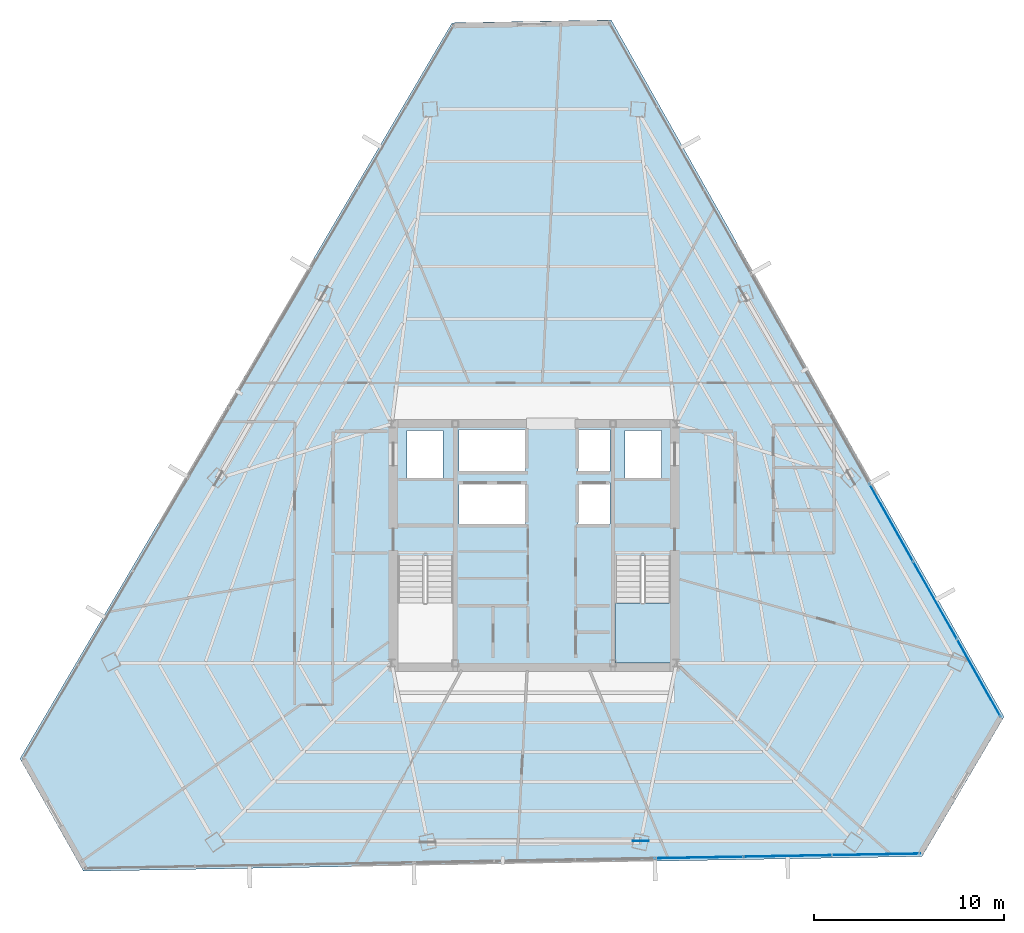
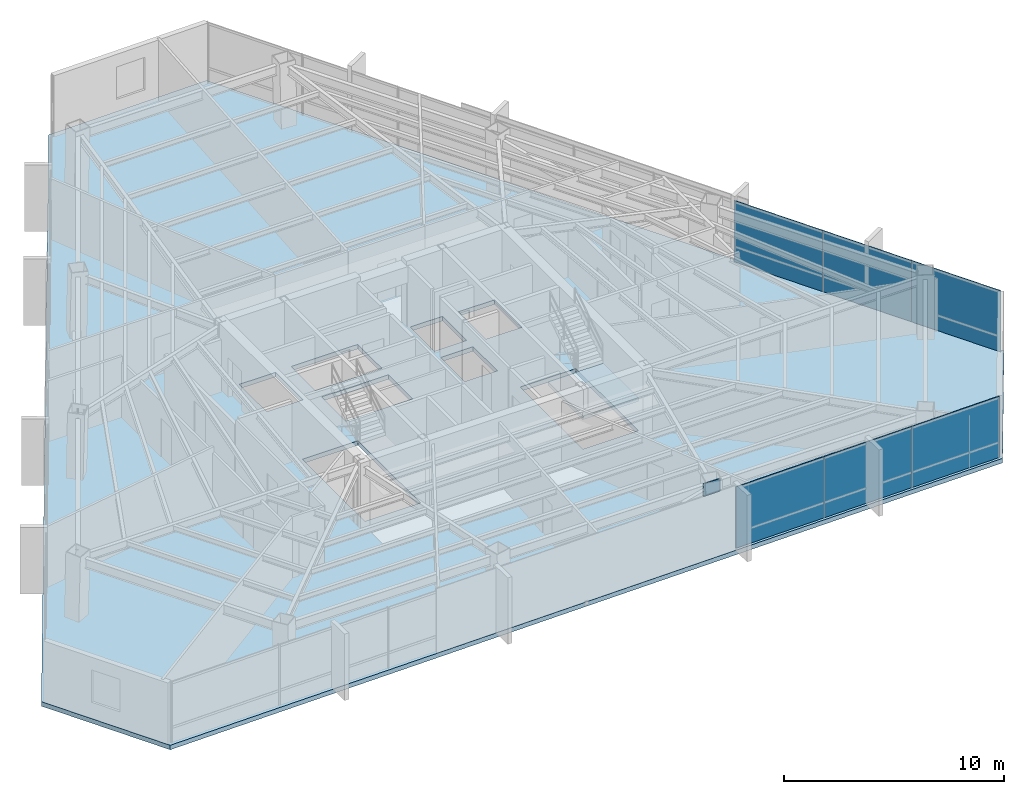
# One storey, part 34 of 42: 7 plates, 2 slabs, 3 elements without a shape of their own.
"""IFC4 building model written with IfcOpenShell, lengths in metres."""

from ifc_helpers import new_model, si_unit, direction, frame, origin, origin_2d, place, context, subcontext, project, spatial, polyline, rectangle, outline, extrude, source, transform, mapped, material, layer, layer_set, type_object, type_shapes, element, aggregate, save


model = new_model("IFC4")

# Units and contexts
model_context = context("Model", 3, precision=1e-05, world=origin(), true_north=direction((0.0, 1.0)))
body_context = subcontext(model_context, "Body", "Model", "MODEL_VIEW")
ifc_project = project(units=[si_unit("LENGTHUNIT", "METRE"), si_unit("AREAUNIT", "SQUARE_METRE"), si_unit("VOLUMEUNIT", "CUBIC_METRE"), si_unit("PLANEANGLEUNIT", "RADIAN"), si_unit("MASSUNIT", "GRAM", prefix="KILO")], contexts=[model_context])

# Site, building, storey
site_placement = place(None, origin())
site = spatial("IfcSite", under=ifc_project, at=site_placement, CompositionType="ELEMENT")
building_placement = place(site_placement, origin())
building = spatial("IfcBuilding", under=site, at=building_placement, Name="Caelisora Broadcast Tower", CompositionType="ELEMENT")
storey_placement = place(building_placement, frame((0.0, 0.0, 187.699951171875)))
storey = spatial("IfcBuildingStorey", under=building, at=storey_placement, Name="L49", CompositionType="ELEMENT", Elevation=187.699951171875)

# Slab
ifc_material_1 = material(Name="Concrete 40 MPa (AS 3600 N40)", Category="concrete")
ifc_layer_1 = layer(ifc_material_1, 0.25, Name="Concrete 40 MPa (AS 3600 N40)")
ifc_layer_set_1 = layer_set([ifc_layer_1], Name="Concrete 40 MPa (AS 3600 N40)")
slab_type_1 = type_object("IfcSlabType", Name="SL04", PredefinedType="FLOOR", material=ifc_layer_set_1)
slab_1_placement = place(storey_placement, frame((0.0, 0.0, -0.25)))
element("IfcSlab", 1, at=slab_1_placement, inside=storey, type_object=slab_type_1, Name="L49 suspended floor SL04", PredefinedType="FLOOR", context=body_context, shape_type="SweptSolid", body=[
    extrude(outline(polyline([(42.06103515625, 51.258056640625), (33.68408203125, 51.111083984375), (10.93896484375, 12.3740234375), (14.280029296875, 6.447998046875), (58.422119140625, 7.22509765625), (62.738037109375, 14.575927734375), (42.06103515625, 51.258056640625)]), holes=[polyline([(30.820068359375, 17.39990234375), (33.739990234375, 17.39990234375), (33.739990234375, 23.080078125), (30.820068359375, 23.080078125), (30.820068359375, 17.39990234375)]), polyline([(42.260009765625, 17.39990234375), (45.179931640625, 17.39990234375), (45.179931640625, 23.080078125), (42.260009765625, 23.080078125), (42.260009765625, 17.39990234375)]), polyline([(42.800048828125, 27.14990234375), (44.699951171875, 27.14990234375), (44.699951171875, 29.64990234375), (42.800048828125, 29.64990234375), (42.800048828125, 27.14990234375)]), polyline([(40.300048828125, 24.719970703125), (42.0, 24.719970703125), (42.0, 26.919921875), (40.300048828125, 26.919921875), (40.300048828125, 24.719970703125)]), polyline([(40.300048828125, 27.5), (42.0, 27.5), (42.0, 29.699951171875), (40.300048828125, 29.699951171875), (40.300048828125, 27.5)]), polyline([(34.050048828125, 24.719970703125), (37.550048828125, 24.719970703125), (37.550048828125, 26.919921875), (34.050048828125, 26.919921875), (34.050048828125, 24.719970703125)]), polyline([(34.050048828125, 27.5), (37.550048828125, 27.5), (37.550048828125, 29.699951171875), (34.050048828125, 29.699951171875), (34.050048828125, 27.5)]), polyline([(31.300048828125, 27.14990234375), (33.199951171875, 27.14990234375), (33.199951171875, 29.64990234375), (31.300048828125, 29.64990234375), (31.300048828125, 27.14990234375)])]), origin(), (0.0, 0.0, 1.0), 0.25),
])

# Stair, slab
stair_type = type_object("IfcStairType", Name="ST-2", PredefinedType="HALF_TURN_STAIR", material=ifc_material_1)
stair_placement = place(storey_placement, origin())
stair = element("IfcStair", 2, at=stair_placement, inside=storey, type_object=stair_type, Name="L49 East Fire-Isolated Tower Stair", PredefinedType="HALF_TURN_STAIR")
ifc_layer_2 = layer(ifc_material_1, 0.199951171875, Name="Concrete 40 MPa (AS 3600 N40)")
ifc_layer_set_2 = layer_set([ifc_layer_2], Name="Concrete 40 MPa (AS 3600 N40)")
slab_type_2 = type_object("IfcSlabType", Name="STL-1", PredefinedType="LANDING", material=ifc_layer_set_2)
slab_2_placement = place(storey_placement, frame((0.0, 0.0, 1.625)))
slab_2 = element("IfcSlab", 3, at=slab_2_placement, type_object=slab_type_2, Name="ST-2 landing 1", PredefinedType="LANDING", context=body_context, shape_type="SweptSolid", body=[
    extrude(outline(polyline([(42.260009765625, 20.580078125), (42.260009765625, 17.39990234375), (45.179931640625, 17.39990234375), (45.179931640625, 20.580078125), (42.260009765625, 20.580078125)])), origin(), (0.0, 0.0, 1.0), 0.199951171875),
])
aggregate(stair, [slab_2])

# Plate
ifc_material_2 = material(Name="Steel Grade 350 L15 (AS/NZS 3678)", Category="steel")
ifc_layer_3 = layer(ifc_material_2, 0.0400390625, Name="Steel Grade 350 L15 (AS/NZS 3678)")
ifc_layer_set_3 = layer_set([ifc_layer_3], Name="Steel Grade 350 L15 (AS/NZS 3678)")
plate_type_1 = type_object("IfcPlateType", Name="GP04", PredefinedType="USERDEFINED", material=ifc_layer_set_3)
shared_shape_1 = source(origin(), body_context, "Body", "SweptSolid", [
    extrude(rectangle(XDim=0.85009765625, YDim=0.0400390625, at=origin_2d()), origin(), (0.0, 0.0, 1.0), 0.699951171875),
])
type_shapes(plate_type_1, [shared_shape_1])
plate_1_placement = place(storey_placement, frame((43.612548828125, 8.04345703125, 2.72998046875), z_axis=(0.0, 0.0, 1.0), x_axis=(1.0, 0.0, 0.0)))
element("IfcPlate", 4, at=plate_1_placement, inside=storey, type_object=plate_type_1, Name="L49 gusset plate GP04 (ND-L49-C07T)", ObjectType="GUSSET PLATE", PredefinedType="USERDEFINED", context=body_context, shape_type="MappedRepresentation", body=[
    mapped(shared_shape_1, transform((0.0, 0.0, 0.0), scale=1.0)),
])

# Curtain wall, plates
ifc_material_3 = material(Name="Unitised Aluminium and Low-E Glass Curtain Wall", Category="glass")
curtain_wall_type = type_object("IfcCurtainWallType", Name="CW-Z4", PredefinedType="NOTDEFINED", material=ifc_material_3)
curtain_wall_1_placement = place(storey_placement, origin())
curtain_wall_1 = element("IfcCurtainWall", 5, at=curtain_wall_1_placement, inside=storey, type_object=curtain_wall_type, Name="L49 curtain wall CW-Z4", PredefinedType="NOTDEFINED")
ifc_material_4 = material(Name="Double Glazed Low-E Argon IGU", Category="glass")
ifc_layer_4 = layer(ifc_material_4, 0.030029296875, Name="Double Glazed Low-E Argon IGU")
ifc_layer_set_4 = layer_set([ifc_layer_4], Name="Double Glazed Low-E Argon IGU")
plate_type_2 = type_object("IfcPlateType", Name="CWP-05", PredefinedType="CURTAIN_PANEL", material=ifc_layer_set_4)
shared_shape_2 = source(origin(), body_context, "Body", "SweptSolid", [
    extrude(rectangle(XDim=4.69482421875, YDim=0.030029296875, at=origin_2d()), origin(), (0.0, 0.0, 1.0), 3.39990234375),
])
plate_2_placement = place(storey_placement, frame((56.80126953125, 24.802734375, 0.0), z_axis=(0.0, 0.0, 1.0), x_axis=(0.491055801632, -0.871128118983, 0.0)))
plate_2 = element("IfcPlate", 6, at=plate_2_placement, type_object=plate_type_2, Name="L49-CW-B03 glazed panel #1", PredefinedType="CURTAIN_PANEL", context=body_context, shape_type="MappedRepresentation", body=[
    mapped(shared_shape_2, transform((0.0, 0.0, 0.0), scale=1.0)),
])
plate_3_placement = place(storey_placement, frame((59.106689453125, 20.712890625, 0.0), z_axis=(0.0, 0.0, 1.0), x_axis=(0.491055801632, -0.871128118983, 0.0)))
plate_3 = element("IfcPlate", 7, at=plate_3_placement, type_object=plate_type_2, Name="L49-CW-B03 glazed panel #2", PredefinedType="CURTAIN_PANEL", context=body_context, shape_type="MappedRepresentation", body=[
    mapped(shared_shape_2, transform((0.0, 0.0, 0.0), scale=1.0)),
])
plate_4_placement = place(storey_placement, frame((61.412353515625, 16.622802734375, 0.0), z_axis=(0.0, 0.0, 1.0), x_axis=(0.491055801632, -0.871128118983, 0.0)))
plate_4 = element("IfcPlate", 8, at=plate_4_placement, type_object=plate_type_2, Name="L49-CW-B03 glazed panel #3", PredefinedType="CURTAIN_PANEL", context=body_context, shape_type="MappedRepresentation", body=[
    mapped(shared_shape_2, transform((0.0, 0.0, 0.0), scale=1.0)),
])
aggregate(curtain_wall_1, [plate_2, plate_3, plate_4])

curtain_wall_2_placement = place(storey_placement, origin())
curtain_wall_2 = element("IfcCurtainWall", 9, at=curtain_wall_2_placement, inside=storey, type_object=curtain_wall_type, Name="L49 curtain wall CW-Z4", PredefinedType="NOTDEFINED")
shared_shape_3 = source(origin(), body_context, "Body", "SweptSolid", [
    extrude(rectangle(XDim=4.656982421875, YDim=0.030029296875, at=origin_2d()), origin(), (0.0, 0.0, 1.0), 3.39990234375),
])
type_shapes(plate_type_2, [shared_shape_2, shared_shape_3])
plate_5_placement = place(storey_placement, frame((56.0068359375, 7.33203125, 0.0), z_axis=(0.0, 0.0, 1.0), x_axis=(-0.999844633908, -0.017626912514, 0.0)))
plate_5 = element("IfcPlate", 10, at=plate_5_placement, type_object=plate_type_2, Name="L49-CW-B05 glazed panel #1", PredefinedType="CURTAIN_PANEL", context=body_context, shape_type="MappedRepresentation", body=[
    mapped(shared_shape_3, transform((0.0, 0.0, 0.0), scale=1.0)),
])
plate_6_placement = place(storey_placement, frame((51.3505859375, 7.250244140625, 0.0), z_axis=(0.0, 0.0, 1.0), x_axis=(-0.999844633908, -0.017626912514, 0.0)))
plate_6 = element("IfcPlate", 11, at=plate_6_placement, type_object=plate_type_2, Name="L49-CW-B05 glazed panel #2", PredefinedType="CURTAIN_PANEL", context=body_context, shape_type="MappedRepresentation", body=[
    mapped(shared_shape_3, transform((0.0, 0.0, 0.0), scale=1.0)),
])
plate_7_placement = place(storey_placement, frame((46.6943359375, 7.168212890625, 0.0), z_axis=(0.0, 0.0, 1.0), x_axis=(-0.999844633908, -0.017626912514, 0.0)))
plate_7 = element("IfcPlate", 12, at=plate_7_placement, type_object=plate_type_2, Name="L49-CW-B05 glazed panel #3", PredefinedType="CURTAIN_PANEL", context=body_context, shape_type="MappedRepresentation", body=[
    mapped(shared_shape_3, transform((0.0, 0.0, 0.0), scale=1.0)),
])
aggregate(curtain_wall_2, [plate_5, plate_6, plate_7])

save(model, "model.ifc")
